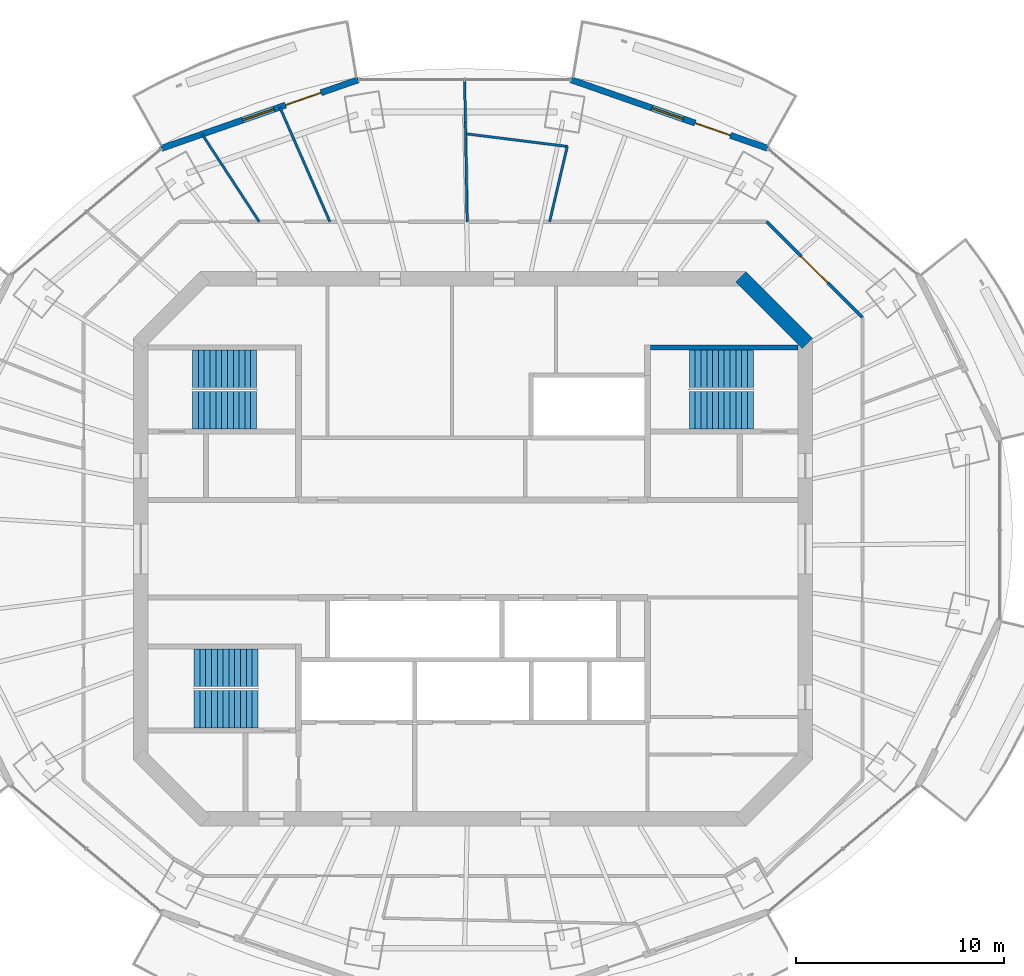
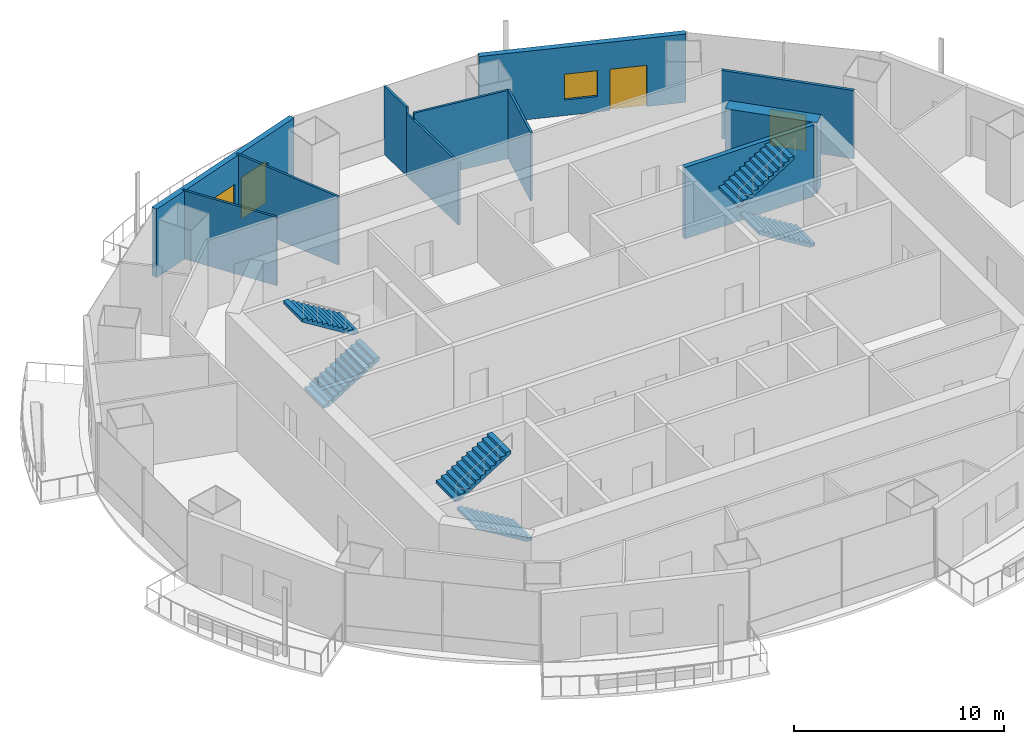
# One storey, part 11 of 16: 11 walls, 6 stair flights, 3 doors, 2 windows, 5 openings, 3 elements without a shape of their own.
"""IFC4 building model written with IfcOpenShell, lengths in metres."""

from ifc_helpers import new_model, si_unit, direction, frame, frame_2d, origin, place, context, subcontext, project, spatial, polyline, rectangle, outline, extrude, material, layer, layer_set, type_object, element, fill, aggregate, save


model = new_model("IFC4")

# Units and contexts
model_context = context("Model", 3, precision=1e-05, world=origin(), true_north=direction((0.0, 1.0)))
body_context = subcontext(model_context, "Body", "Model", "MODEL_VIEW")
ifc_project = project(units=[si_unit("LENGTHUNIT", "METRE"), si_unit("AREAUNIT", "SQUARE_METRE"), si_unit("VOLUMEUNIT", "CUBIC_METRE"), si_unit("PLANEANGLEUNIT", "RADIAN"), si_unit("MASSUNIT", "GRAM", prefix="KILO")], contexts=[model_context])

# Site, building, storey
site_placement = place(None, origin())
site = spatial("IfcSite", under=ifc_project, at=site_placement, CompositionType="ELEMENT")
building_placement = place(site_placement, origin())
building = spatial("IfcBuilding", under=site, at=building_placement, Name="Marenthal Gate Tower", CompositionType="ELEMENT")
storey_placement = place(building_placement, frame((0.0, 0.0, 367.5)))
storey = spatial("IfcBuildingStorey", under=building, at=storey_placement, Name="L83", CompositionType="ELEMENT", Elevation=367.5)

# Walls
ifc_material_1 = material(Name="Concrete 60 MPa", Category="concrete")
ifc_layer_1 = layer(ifc_material_1, 0.699951171875)
ifc_layer_set_1 = layer_set([ifc_layer_1], Name="Core shear wall 700")
wall_type_1 = type_object("IfcWallType", Name="Core shear wall 700", PredefinedType="SHEAR", material=ifc_layer_set_1)
wall_1_placement = place(storey_placement, frame((16.1025390625, 9.8974609375, -0.179931640625), z_axis=(0.0, 0.0, 1.0), x_axis=(-0.707106781187, 0.707106781187, 0.0)))
element("IfcWall", 1, at=wall_1_placement, inside=storey, type_object=wall_type_1, Name="Core wall 03", PredefinedType="SHEAR", context=body_context, shape_type="SweptSolid", body=[
    extrude(rectangle(XDim=4.53271484375, YDim=0.699951171875, at=frame_2d((2.266357421875, 0.0))), origin(), (0.0, 0.0, 1.0), 4.14990234375),
])
ifc_material_2 = material(Name="Gypsum board on steel studs", Category="steel")
ifc_layer_2 = layer(ifc_material_2, 0.1201171875)
ifc_layer_set_2 = layer_set([ifc_layer_2], Name="Partition 120")
wall_type_2 = type_object("IfcWallType", Name="Partition 120", PredefinedType="PARTITIONING", material=ifc_layer_set_2)
wall_2_placement = place(storey_placement, frame((-10.290283203125, 15.75, 0.0), z_axis=(0.0, 0.0, 1.0), x_axis=(-0.546976229458, 0.837148137672, 0.0)))
element("IfcWall", 2, at=wall_2_placement, inside=storey, type_object=wall_type_2, Name="Partition wall 60", PredefinedType="PARTITIONING", context=body_context, shape_type="SweptSolid", body=[
    extrude(rectangle(XDim=5.033935546875, YDim=0.1201171875, at=frame_2d((2.51708984375, 0.0))), origin(), (0.0, 0.0, 1.0), 3.969970703125),
])
wall_3_placement = place(storey_placement, frame((-6.887451171875, 15.75, 0.0), z_axis=(0.0, 0.0, 1.0), x_axis=(-0.400678502876, 0.916218716974, 0.0)))
element("IfcWall", 3, at=wall_3_placement, inside=storey, type_object=wall_type_2, Name="Partition wall 62", PredefinedType="PARTITIONING", context=body_context, shape_type="SweptSolid", body=[
    extrude(rectangle(XDim=6.023681640625, YDim=0.1201171875, at=frame_2d((3.01171875, 0.0))), origin(), (0.0, 0.0, 1.0), 3.969970703125),
])
wall_4_placement = place(storey_placement, frame((-0.27880859375, 15.75, 0.0), z_axis=(0.0, 0.0, 1.0), x_axis=(-0.017738732827, 0.9998426563, 0.0)))
element("IfcWall", 4, at=wall_4_placement, inside=storey, type_object=wall_type_2, Name="Partition wall 65", PredefinedType="PARTITIONING", context=body_context, shape_type="SweptSolid", body=[
    extrude(rectangle(XDim=4.78955078125, YDim=0.1201171875, at=frame_2d((2.394775390625, 0.0))), origin(), (0.0, 0.0, 1.0), 3.616943359375),
])
wall_5_placement = place(storey_placement, frame((-0.36376953125, 20.538818359375, 0.0), z_axis=(0.0, 0.0, 1.0), x_axis=(-0.017645713896, 0.99984430227, 0.0)))
element("IfcWall", 5, at=wall_5_placement, inside=storey, type_object=wall_type_2, Name="Partition wall 78", PredefinedType="PARTITIONING", context=body_context, shape_type="SweptSolid", body=[
    extrude(rectangle(XDim=2.047607421875, YDim=0.1201171875, at=frame_2d((1.02392578125, 0.0))), origin(), (0.0, 0.0, 1.0), 3.969970703125),
])
wall_6_placement = place(storey_placement, frame((4.540771484375, 19.376220703125, 0.0), z_axis=(0.0, 0.0, 1.0), x_axis=(-0.99227254585, 0.124077374056, 0.0)))
element("IfcWall", 6, at=wall_6_placement, inside=storey, type_object=wall_type_2, Name="Partition wall 67", PredefinedType="PARTITIONING", context=body_context, shape_type="SweptSolid", body=[
    extrude(rectangle(XDim=4.932861328125, YDim=0.1201171875, at=frame_2d((2.46630859375, 0.0))), origin(), (0.0, 0.0, 1.0), 3.969970703125),
])
wall_7_placement = place(storey_placement, frame((4.540771484375, 19.376220703125, 0.0), z_axis=(0.0, 0.0, 1.0), x_axis=(-0.228180642974, -0.973618813588, 0.0)))
element("IfcWall", 7, at=wall_7_placement, inside=storey, type_object=wall_type_2, Name="Partition wall 68", PredefinedType="PARTITIONING", context=body_context, shape_type="SweptSolid", body=[
    extrude(rectangle(XDim=3.724365234375, YDim=0.1201171875, at=frame_2d((1.8623046875, 0.0))), origin(), (0.0, 0.0, 1.0), 3.969970703125),
])

# Wall, opening, door
ifc_material_3 = material(Name="Gypsum board on steel studs", Category="steel")
ifc_layer_3 = layer(ifc_material_3, 0.14990234375)
ifc_layer_set_3 = layer_set([ifc_layer_3], Name="Partition 150")
wall_type_3 = type_object("IfcWallType", Name="Partition 150", PredefinedType="PARTITIONING", material=ifc_layer_set_3)
wall_8_placement = place(storey_placement, frame((14.13916015625, 15.75, 0.0), z_axis=(0.0, 0.0, 1.0), x_axis=(0.707106781187, -0.707106781187, 0.0)))
wall_8 = element("IfcWall", 8, at=wall_8_placement, inside=storey, type_object=wall_type_3, Name="Partition wall 73", PredefinedType="PARTITIONING", context=body_context, shape_type="SweptSolid", body=[
    extrude(rectangle(XDim=6.520751953125, YDim=0.14990234375, at=frame_2d((3.26025390625, 0.0))), origin(), (0.0, 0.0, 1.0), 3.969970703125),
])
opening_1_placement = place(wall_8_placement, frame((2.360107421875, 0.0, 0.0)))
opening_1 = element("IfcOpeningElement", 9, at=opening_1_placement, cuts=wall_8, Name="Opening D014.01", PredefinedType="OPENING", context=body_context, shape_type="SweptSolid", body=[
    extrude(rectangle(XDim=1.800048828125, YDim=2.10009765625, at=frame_2d((0.89990234375, 1.050048828125))), frame((0.0, 0.0849609375, 0.0), z_axis=(0.0, -1.0, 0.0), x_axis=(1.0, 0.0, 0.0)), (0.0, 0.0, 1.0), 0.169921875),
])
ifc_material_4 = material(Name="Timber door", Category="wood")
door_type_1 = type_object("IfcDoorType", Name="Double door 1800 x 2100", OperationType="DOUBLE_DOOR_SINGLE_SWING", PredefinedType="DOOR", material=ifc_material_4)
door_1_placement = place(opening_1_placement, origin())
door_1 = element("IfcDoor", 10, at=door_1_placement, inside=storey, type_object=door_type_1, Name="Door D014.01", OperationType="DOUBLE_DOOR_SINGLE_SWING", OverallHeight=2.10009765625, OverallWidth=1.800048828125, PredefinedType="DOOR", context=body_context, shape_type="SweptSolid", body=[
    extrude(rectangle(XDim=1.800048828125, YDim=2.10009765625, at=frame_2d((0.89990234375, 1.050048828125))), frame((0.0, 0.02490234375, 0.0), z_axis=(0.0, -1.0, 0.0), x_axis=(1.0, 0.0, 0.0)), (0.0, 0.0, 1.0), 0.050048828125),
])
fill(opening_1, door_1)

# Wall
ifc_material_5 = material(Name="Concrete 50 MPa", Category="concrete")
ifc_layer_4 = layer(ifc_material_5, 0.25)
ifc_layer_set_4 = layer_set([ifc_layer_4], Name="Stair shear wall 250")
wall_type_4 = type_object("IfcWallType", Name="Stair shear wall 250", PredefinedType="SHEAR", material=ifc_layer_set_4)
wall_9_placement = place(storey_placement, frame((8.550048828125, 9.699951171875, -0.179931640625), z_axis=(0.0, 0.0, 1.0), x_axis=(1.0, 0.0, 0.0)))
element("IfcWall", 11, at=wall_9_placement, inside=storey, type_object=wall_type_4, Name="Stair wall 28", PredefinedType="SHEAR", context=body_context, shape_type="SweptSolid", body=[
    extrude(rectangle(XDim=7.099853515625, YDim=0.25, at=frame_2d((3.5498046875, 0.0))), origin(), (0.0, 0.0, 1.0), 4.14990234375),
])

# Wall, openings, door, window
ifc_material_6 = material(Name="Terracotta cladding on insulated concrete-block backing", Category="masonry")
ifc_layer_5 = layer(ifc_material_6, 0.300048828125)
ifc_layer_set_5 = layer_set([ifc_layer_5], Name="Terracotta facade wall 300")
wall_type_5 = type_object("IfcWallType", Name="Terracotta facade wall 300", PredefinedType="SOLIDWALL", material=ifc_layer_set_5)
wall_10_placement = place(storey_placement, frame((14.192138671875, 19.28466796875, 0.0), z_axis=(0.0, 0.0, 1.0), x_axis=(-0.944239971919, 0.329258068133, 0.0)))
wall_10 = element("IfcWall", 12, at=wall_10_placement, inside=storey, type_object=wall_type_5, Name="Terracotta facade wall L83 bay 3", PredefinedType="SOLIDWALL", context=body_context, shape_type="SweptSolid", body=[
    extrude(rectangle(XDim=10.027099609375, YDim=0.300048828125, at=frame_2d((5.013671875, 0.0))), origin(), (0.0, 0.0, 1.0), 3.969970703125),
])
opening_2_placement = place(wall_10_placement, frame((1.89990234375, 0.0, 0.0)))
opening_2 = element("IfcOpeningElement", 13, at=opening_2_placement, cuts=wall_10, Name="Opening BD-L83-03", PredefinedType="OPENING", context=body_context, shape_type="SweptSolid", body=[
    extrude(rectangle(XDim=1.800048828125, YDim=2.39990234375, at=frame_2d((0.89990234375, 1.199951171875))), frame((0.0, 0.16015625, 0.0), z_axis=(0.0, -1.0, 0.0), x_axis=(1.0, 0.0, 0.0)), (0.0, 0.0, 1.0), 0.320068359375),
])
opening_3_placement = place(wall_10_placement, frame((4.300048828125, 0.0, 0.89990234375)))
opening_3 = element("IfcOpeningElement", 14, at=opening_3_placement, cuts=wall_10, Name="Opening WN3-L83-03", PredefinedType="OPENING", context=body_context, shape_type="SweptSolid", body=[
    extrude(rectangle(XDim=1.60009765625, YDim=1.5, at=frame_2d((0.800048828125, 0.75))), frame((0.0, 0.16015625, 0.0), z_axis=(0.0, -1.0, 0.0), x_axis=(1.0, 0.0, 0.0)), (0.0, 0.0, 1.0), 0.320068359375),
])
ifc_material_7 = material(Name="Aluminium and glass", Category="aluminium")
door_type_2 = type_object("IfcDoorType", Name="Balcony door 1800x2400", OperationType="DOUBLE_DOOR_SINGLE_SWING", PredefinedType="DOOR", material=ifc_material_7)
door_2_placement = place(opening_2_placement, origin())
door_2 = element("IfcDoor", 15, at=door_2_placement, inside=storey, type_object=door_type_2, Name="Balcony door L83 bay 3", OperationType="SINGLE_SWING_LEFT", OverallHeight=2.39990234375, OverallWidth=1.800048828125, PredefinedType="DOOR", context=body_context, shape_type="SweptSolid", body=[
    extrude(rectangle(XDim=1.800048828125, YDim=2.39990234375, at=frame_2d((0.89990234375, 1.199951171875))), frame((0.0, 0.02490234375, 0.0), z_axis=(0.0, -1.0, 0.0), x_axis=(1.0, 0.0, 0.0)), (0.0, 0.0, 1.0), 0.050048828125),
])
fill(opening_2, door_2)
ifc_material_8 = material(Name="Aluminium and glass", Category="aluminium")
window_type = type_object("IfcWindowType", Name="Window 1600x1500", PartitioningType="DOUBLE_PANEL_VERTICAL", PredefinedType="WINDOW", material=ifc_material_8)
window_1_placement = place(opening_3_placement, origin())
window_1 = element("IfcWindow", 16, at=window_1_placement, inside=storey, type_object=window_type, Name="Window L83 bay 3", OverallHeight=1.5, OverallWidth=1.60009765625, PartitioningType="SINGLE_PANEL", PredefinedType="WINDOW", context=body_context, shape_type="SweptSolid", body=[
    extrude(rectangle(XDim=1.60009765625, YDim=1.5, at=frame_2d((0.800048828125, 0.75))), frame((0.0, 0.030029296875, 0.0), z_axis=(0.0, -1.0, 0.0), x_axis=(1.0, 0.0, 0.0)), (0.0, 0.0, 1.0), 0.06005859375),
])
fill(opening_3, window_1)

wall_11_placement = place(storey_placement, frame((-5.52392578125, 22.586181640625, 0.0), z_axis=(0.0, 0.0, 1.0), x_axis=(-0.944242611416, -0.329250498535, 0.0)))
wall_11 = element("IfcWall", 17, at=wall_11_placement, inside=storey, type_object=wall_type_5, Name="Terracotta facade wall L83 bay 5", PredefinedType="SOLIDWALL", context=body_context, shape_type="SweptSolid", body=[
    extrude(rectangle(XDim=10.02734375, YDim=0.300048828125, at=frame_2d((5.013671875, 0.0))), origin(), (0.0, 0.0, 1.0), 3.969970703125),
])
opening_4_placement = place(wall_11_placement, frame((1.89990234375, 0.0, 0.0)))
opening_4 = element("IfcOpeningElement", 18, at=opening_4_placement, cuts=wall_11, Name="Opening BD-L83-05", PredefinedType="OPENING", context=body_context, shape_type="SweptSolid", body=[
    extrude(rectangle(XDim=1.800048828125, YDim=2.39990234375, at=frame_2d((0.89990234375, 1.199951171875))), frame((0.0, 0.16015625, 0.0), z_axis=(0.0, -1.0, 0.0), x_axis=(1.0, 0.0, 0.0)), (0.0, 0.0, 1.0), 0.320068359375),
])
opening_5_placement = place(wall_11_placement, frame((4.300048828125, 0.0, 0.89990234375)))
opening_5 = element("IfcOpeningElement", 19, at=opening_5_placement, cuts=wall_11, Name="Opening WN3-L83-05", PredefinedType="OPENING", context=body_context, shape_type="SweptSolid", body=[
    extrude(rectangle(XDim=1.60009765625, YDim=1.5, at=frame_2d((0.800048828125, 0.75))), frame((0.0, 0.16015625, 0.0), z_axis=(0.0, -1.0, 0.0), x_axis=(1.0, 0.0, 0.0)), (0.0, 0.0, 1.0), 0.320068359375),
])
door_3_placement = place(opening_4_placement, origin())
door_3 = element("IfcDoor", 20, at=door_3_placement, inside=storey, type_object=door_type_2, Name="Balcony door L83 bay 5", OperationType="SINGLE_SWING_LEFT", OverallHeight=2.39990234375, OverallWidth=1.800048828125, PredefinedType="DOOR", context=body_context, shape_type="SweptSolid", body=[
    extrude(rectangle(XDim=1.800048828125, YDim=2.39990234375, at=frame_2d((0.89990234375, 1.199951171875))), frame((0.0, 0.02490234375, 0.0), z_axis=(0.0, -1.0, 0.0), x_axis=(1.0, 0.0, 0.0)), (0.0, 0.0, 1.0), 0.050048828125),
])
fill(opening_4, door_3)
window_2_placement = place(opening_5_placement, origin())
window_2 = element("IfcWindow", 21, at=window_2_placement, inside=storey, type_object=window_type, Name="Window L83 bay 5", OverallHeight=1.5, OverallWidth=1.60009765625, PartitioningType="SINGLE_PANEL", PredefinedType="WINDOW", context=body_context, shape_type="SweptSolid", body=[
    extrude(rectangle(XDim=1.60009765625, YDim=1.5, at=frame_2d((0.800048828125, 0.75))), frame((0.0, 0.030029296875, 0.0), z_axis=(0.0, -1.0, 0.0), x_axis=(1.0, 0.0, 0.0)), (0.0, 0.0, 1.0), 0.06005859375),
])
fill(opening_5, window_2)

# Stair, stair flights
ifc_material_9 = material(Name="Concrete 40 MPa", Category="concrete")
stair_type = type_object("IfcStairType", Name="Exit stair 1800", PredefinedType="HALF_TURN_STAIR", material=ifc_material_9)
stair_1_placement = place(storey_placement, origin())
stair_1 = element("IfcStair", 22, at=stair_1_placement, inside=storey, type_object=stair_type, Name="Stair ST1", PredefinedType="HALF_TURN_STAIR")
ifc_material_10 = material(Name="Concrete 40 MPa", Category="concrete")
stair_flight_type = type_object("IfcStairFlightType", Name="Stair flight 1800", PredefinedType="STRAIGHT", material=ifc_material_10)
stair_flight_1_placement = place(storey_placement, frame((-13.5, 6.675048828125, 0.0), z_axis=(0.0, 0.0, 1.0), x_axis=(1.0, 0.0, 0.0)))
stair_flight_1 = element("IfcStairFlight", 23, at=stair_flight_1_placement, type_object=stair_flight_type, Name="ST1 flight 1", NumberOfRisers=12, NumberOfTreads=11, PredefinedType="STRAIGHT", RiserHeight=0.172916667, TreadLength=0.28, context=body_context, shape_type="SweptSolid", body=[
    extrude(outline(polyline([(0.0, 0.0), (0.0, 0.1728515625), (0.280029296875, 0.1728515625), (0.280029296875, 0.345947265625), (0.56005859375, 0.345947265625), (0.56005859375, 0.518798828125), (0.840087890625, 0.518798828125), (0.840087890625, 0.691650390625), (1.1201171875, 0.691650390625), (1.1201171875, 0.864501953125), (1.39990234375, 0.864501953125), (1.39990234375, 1.03759765625), (1.679931640625, 1.03759765625), (1.679931640625, 1.21044921875), (1.9599609375, 1.21044921875), (1.9599609375, 1.38330078125), (2.239990234375, 1.38330078125), (2.239990234375, 1.55615234375), (2.52001953125, 1.55615234375), (2.52001953125, 1.729248046875), (2.800048828125, 1.729248046875), (2.800048828125, 1.902099609375), (3.080078125, 1.902099609375), (3.080078125, 2.074951171875), (3.080078125, 1.725830078125), (0.285400390625, 0.0), (0.0, 0.0)])), frame((0.0, 0.89990234375, 0.0), z_axis=(0.0, -1.0, 0.0), x_axis=(1.0, 0.0, 0.0)), (0.0, 0.0, 1.0), 1.800048828125),
])
stair_flight_2_placement = place(storey_placement, frame((-10.419921875, 8.675048828125, 2.074951171875), z_axis=(0.0, 0.0, 1.0), x_axis=(-1.0, 0.0, 0.0)))
stair_flight_2 = element("IfcStairFlight", 24, at=stair_flight_2_placement, type_object=stair_flight_type, Name="ST1 flight 2", NumberOfRisers=12, NumberOfTreads=11, PredefinedType="STRAIGHT", RiserHeight=0.172916667, TreadLength=0.28, context=body_context, shape_type="SweptSolid", body=[
    extrude(outline(polyline([(0.0, 0.0), (0.0, 0.1728515625), (0.280029296875, 0.1728515625), (0.280029296875, 0.345947265625), (0.56005859375, 0.345947265625), (0.56005859375, 0.518798828125), (0.840087890625, 0.518798828125), (0.840087890625, 0.691650390625), (1.1201171875, 0.691650390625), (1.1201171875, 0.864501953125), (1.39990234375, 0.864501953125), (1.39990234375, 1.03759765625), (1.679931640625, 1.03759765625), (1.679931640625, 1.21044921875), (1.9599609375, 1.21044921875), (1.9599609375, 1.38330078125), (2.239990234375, 1.38330078125), (2.239990234375, 1.55615234375), (2.52001953125, 1.55615234375), (2.52001953125, 1.729248046875), (2.800048828125, 1.729248046875), (2.800048828125, 1.902099609375), (3.080078125, 1.902099609375), (3.080078125, 2.074951171875), (3.080078125, 1.725830078125), (0.285400390625, 0.0), (0.0, 0.0)])), frame((0.0, 0.89990234375, 0.0), z_axis=(0.0, -1.0, 0.0), x_axis=(1.0, 0.0, 0.0)), (0.0, 0.0, 1.0), 1.800048828125),
])
aggregate(stair_1, [stair_flight_1, stair_flight_2])

stair_2_placement = place(storey_placement, origin())
stair_2 = element("IfcStair", 25, at=stair_2_placement, inside=storey, type_object=stair_type, Name="Stair ST2", PredefinedType="HALF_TURN_STAIR")
stair_flight_3_placement = place(storey_placement, frame((-10.35009765625, -7.72509765625, 0.0), z_axis=(0.0, 0.0, 1.0), x_axis=(-1.0, 0.0, 0.0)))
stair_flight_3 = element("IfcStairFlight", 26, at=stair_flight_3_placement, type_object=stair_flight_type, Name="ST2 flight 1", NumberOfRisers=12, NumberOfTreads=11, PredefinedType="STRAIGHT", RiserHeight=0.172916667, TreadLength=0.28, context=body_context, shape_type="SweptSolid", body=[
    extrude(outline(polyline([(0.0, 0.0), (0.0, 0.1728515625), (0.280029296875, 0.1728515625), (0.280029296875, 0.345947265625), (0.56005859375, 0.345947265625), (0.56005859375, 0.518798828125), (0.840087890625, 0.518798828125), (0.840087890625, 0.691650390625), (1.1201171875, 0.691650390625), (1.1201171875, 0.864501953125), (1.39990234375, 0.864501953125), (1.39990234375, 1.03759765625), (1.679931640625, 1.03759765625), (1.679931640625, 1.21044921875), (1.9599609375, 1.21044921875), (1.9599609375, 1.38330078125), (2.239990234375, 1.38330078125), (2.239990234375, 1.55615234375), (2.52001953125, 1.55615234375), (2.52001953125, 1.729248046875), (2.800048828125, 1.729248046875), (2.800048828125, 1.902099609375), (3.080078125, 1.902099609375), (3.080078125, 2.074951171875), (3.080078125, 1.725830078125), (0.285400390625, 0.0), (0.0, 0.0)])), frame((0.0, 0.89990234375, 0.0), z_axis=(0.0, -1.0, 0.0), x_axis=(1.0, 0.0, 0.0)), (0.0, 0.0, 1.0), 1.800048828125),
])
stair_flight_4_placement = place(storey_placement, frame((-13.429931640625, -5.72509765625, 2.074951171875), z_axis=(0.0, 0.0, 1.0), x_axis=(1.0, 0.0, 0.0)))
stair_flight_4 = element("IfcStairFlight", 27, at=stair_flight_4_placement, type_object=stair_flight_type, Name="ST2 flight 2", NumberOfRisers=12, NumberOfTreads=11, PredefinedType="STRAIGHT", RiserHeight=0.172916667, TreadLength=0.28, context=body_context, shape_type="SweptSolid", body=[
    extrude(outline(polyline([(0.0, 0.0), (0.0, 0.1728515625), (0.280029296875, 0.1728515625), (0.280029296875, 0.345947265625), (0.56005859375, 0.345947265625), (0.56005859375, 0.518798828125), (0.840087890625, 0.518798828125), (0.840087890625, 0.691650390625), (1.1201171875, 0.691650390625), (1.1201171875, 0.864501953125), (1.39990234375, 0.864501953125), (1.39990234375, 1.03759765625), (1.679931640625, 1.03759765625), (1.679931640625, 1.21044921875), (1.9599609375, 1.21044921875), (1.9599609375, 1.38330078125), (2.239990234375, 1.38330078125), (2.239990234375, 1.55615234375), (2.52001953125, 1.55615234375), (2.52001953125, 1.729248046875), (2.800048828125, 1.729248046875), (2.800048828125, 1.902099609375), (3.080078125, 1.902099609375), (3.080078125, 2.074951171875), (3.080078125, 1.725830078125), (0.285400390625, 0.0), (0.0, 0.0)])), frame((0.0, 0.89990234375, 0.0), z_axis=(0.0, -1.0, 0.0), x_axis=(1.0, 0.0, 0.0)), (0.0, 0.0, 1.0), 1.800048828125),
])
aggregate(stair_2, [stair_flight_3, stair_flight_4])

stair_3_placement = place(storey_placement, origin())
stair_3 = element("IfcStair", 28, at=stair_3_placement, inside=storey, type_object=stair_type, Name="Stair ST3", PredefinedType="HALF_TURN_STAIR")
stair_flight_5_placement = place(storey_placement, frame((13.5, 6.675048828125, 0.0), z_axis=(0.0, 0.0, 1.0), x_axis=(-1.0, 0.0, 0.0)))
stair_flight_5 = element("IfcStairFlight", 29, at=stair_flight_5_placement, type_object=stair_flight_type, Name="ST3 flight 1", NumberOfRisers=12, NumberOfTreads=11, PredefinedType="STRAIGHT", RiserHeight=0.172916667, TreadLength=0.28, context=body_context, shape_type="SweptSolid", body=[
    extrude(outline(polyline([(0.0, 0.0), (0.0, 0.1728515625), (0.280029296875, 0.1728515625), (0.280029296875, 0.345947265625), (0.56005859375, 0.345947265625), (0.56005859375, 0.518798828125), (0.840087890625, 0.518798828125), (0.840087890625, 0.691650390625), (1.1201171875, 0.691650390625), (1.1201171875, 0.864501953125), (1.39990234375, 0.864501953125), (1.39990234375, 1.03759765625), (1.679931640625, 1.03759765625), (1.679931640625, 1.21044921875), (1.9599609375, 1.21044921875), (1.9599609375, 1.38330078125), (2.239990234375, 1.38330078125), (2.239990234375, 1.55615234375), (2.52001953125, 1.55615234375), (2.52001953125, 1.729248046875), (2.800048828125, 1.729248046875), (2.800048828125, 1.902099609375), (3.080078125, 1.902099609375), (3.080078125, 2.074951171875), (3.080078125, 1.725830078125), (0.285400390625, 0.0), (0.0, 0.0)])), frame((0.0, 0.89990234375, 0.0), z_axis=(0.0, -1.0, 0.0), x_axis=(1.0, 0.0, 0.0)), (0.0, 0.0, 1.0), 1.800048828125),
])
stair_flight_6_placement = place(storey_placement, frame((10.419921875, 8.675048828125, 2.074951171875), z_axis=(0.0, 0.0, 1.0), x_axis=(1.0, 0.0, 0.0)))
stair_flight_6 = element("IfcStairFlight", 30, at=stair_flight_6_placement, type_object=stair_flight_type, Name="ST3 flight 2", NumberOfRisers=12, NumberOfTreads=11, PredefinedType="STRAIGHT", RiserHeight=0.172916667, TreadLength=0.28, context=body_context, shape_type="SweptSolid", body=[
    extrude(outline(polyline([(0.0, 0.0), (0.0, 0.1728515625), (0.280029296875, 0.1728515625), (0.280029296875, 0.345947265625), (0.56005859375, 0.345947265625), (0.56005859375, 0.518798828125), (0.840087890625, 0.518798828125), (0.840087890625, 0.691650390625), (1.1201171875, 0.691650390625), (1.1201171875, 0.864501953125), (1.39990234375, 0.864501953125), (1.39990234375, 1.03759765625), (1.679931640625, 1.03759765625), (1.679931640625, 1.21044921875), (1.9599609375, 1.21044921875), (1.9599609375, 1.38330078125), (2.239990234375, 1.38330078125), (2.239990234375, 1.55615234375), (2.52001953125, 1.55615234375), (2.52001953125, 1.729248046875), (2.800048828125, 1.729248046875), (2.800048828125, 1.902099609375), (3.080078125, 1.902099609375), (3.080078125, 2.074951171875), (3.080078125, 1.725830078125), (0.285400390625, 0.0), (0.0, 0.0)])), frame((0.0, 0.89990234375, 0.0), z_axis=(0.0, -1.0, 0.0), x_axis=(1.0, 0.0, 0.0)), (0.0, 0.0, 1.0), 1.800048828125),
])
aggregate(stair_3, [stair_flight_5, stair_flight_6])

save(model, "model.ifc")
